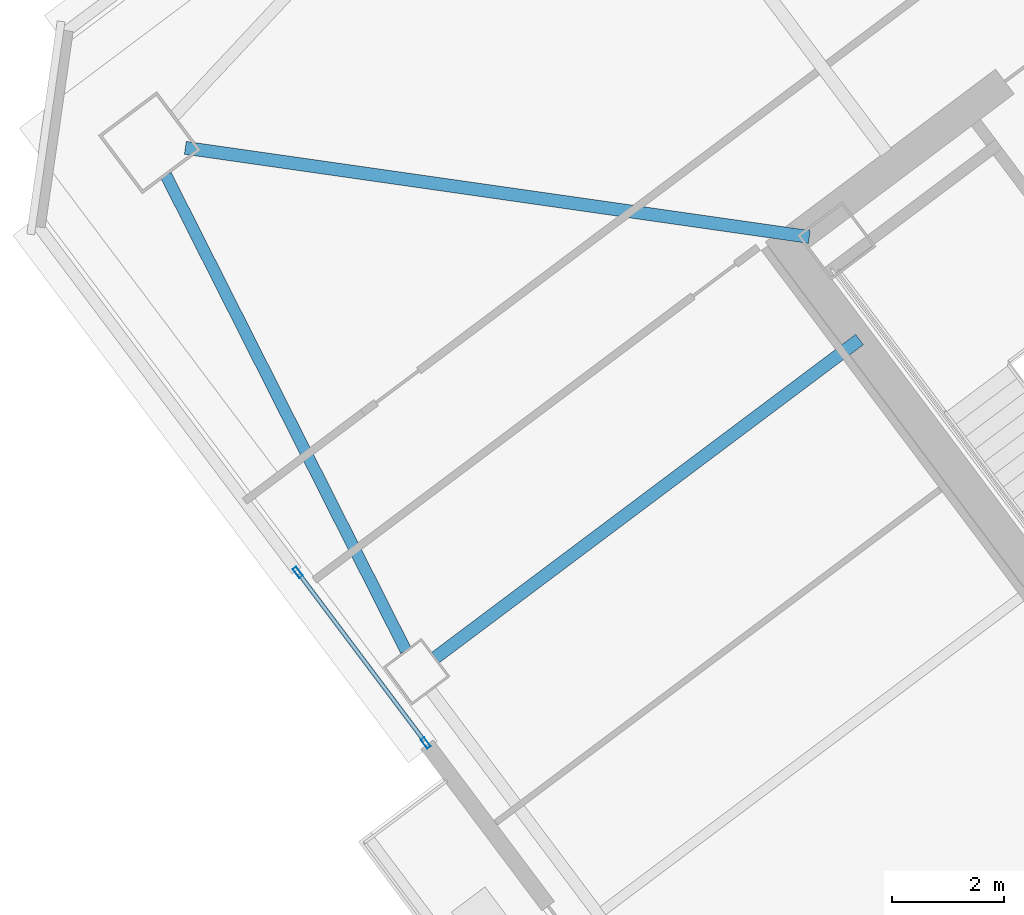
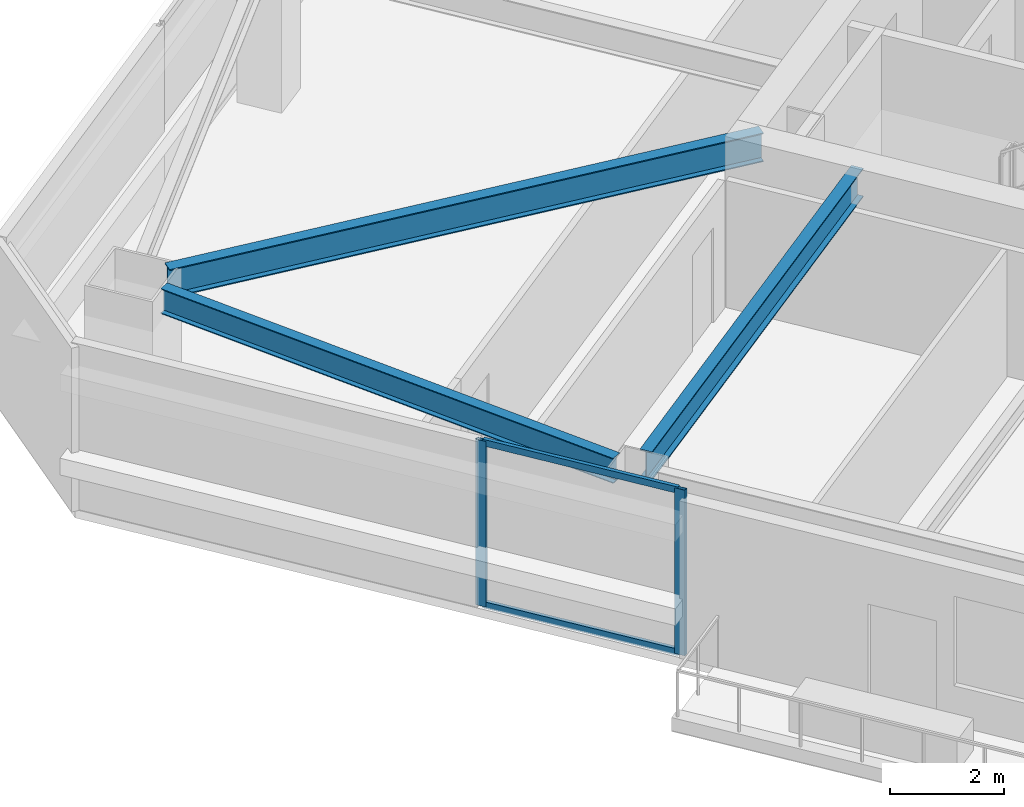
# One storey, part 20 of 40: 4 members, 3 beams, 1 element without a shape of its own.
"""IFC4 building model written with IfcOpenShell, lengths in metres."""

from ifc_helpers import new_model, si_unit, direction, frame, origin, origin_2d, place, context, subcontext, project, spatial, hollow_rectangle, i_section, extrude, material, material_profile, profile_set, type_object, element, aggregate, save


model = new_model("IFC4")

# Units and contexts
model_context = context("Model", 3, precision=1e-05, world=origin(), true_north=direction((0.0, 1.0)))
body_context = subcontext(model_context, "Body", "Model", "MODEL_VIEW")
ifc_project = project(units=[si_unit("LENGTHUNIT", "METRE"), si_unit("AREAUNIT", "SQUARE_METRE"), si_unit("VOLUMEUNIT", "CUBIC_METRE"), si_unit("PLANEANGLEUNIT", "RADIAN"), si_unit("MASSUNIT", "GRAM", prefix="KILO")], contexts=[model_context])

# Site, building, storey
site_placement = place(None, origin())
site = spatial("IfcSite", under=ifc_project, at=site_placement, CompositionType="ELEMENT")
building_placement = place(site_placement, origin())
building = spatial("IfcBuilding", under=site, at=building_placement, Name="Tashvorn Skyway Center", CompositionType="ELEMENT")
storey_placement = place(building_placement, frame((0.0, 0.0, 142.800048828125)))
storey = spatial("IfcBuildingStorey", under=building, at=storey_placement, Name="L38", CompositionType="ELEMENT", Elevation=142.800048828125)

# Beams
ifc_material_1 = material(Name="Steel ASTM A992 Grade 50", Category="steel")
ifc_material_profile_1 = material_profile(ifc_material_1, i_section(OverallWidth=0.22998046875, OverallDepth=0.616943359375, WebThickness=0.01318359375, FlangeThickness=0.022216796875, at=origin_2d()), Name="W24X94")
ifc_profile_set_1 = profile_set([ifc_material_profile_1], Name="Steel ASTM A992 Grade 50")
beam_type_1 = type_object("IfcBeamType", Name="BM-BEAM-W24X94", PredefinedType="BEAM", material=ifc_profile_set_1)
beam_1_placement = place(storey_placement, frame((92.5185546875, 35.06884765625, 3.0615234375), z_axis=(0.989948189712, -0.141430483583, 0.0), x_axis=(0.141430483583, 0.989948189712, 0.0)))
element("IfcBeam", 1, at=beam_1_placement, inside=storey, type_object=beam_type_1, Name="Tower 2 L38 Primary Floor Girder MC-NW", PredefinedType="BEAM", context=body_context, shape_type="SweptSolid", body=[
    extrude(i_section(OverallWidth=0.22998046875, OverallDepth=0.616943359375, WebThickness=0.01318359375, FlangeThickness=0.022216796875, at=origin_2d()), origin(), (0.0, 0.0, 1.0), 11.234375),
])
beam_2_placement = place(storey_placement, frame((96.97607421875, 25.98193359375, 3.0615234375), z_axis=(0.799984498661, 0.600020667896, 0.0), x_axis=(-0.600020667896, 0.799984498661, 0.0)))
element("IfcBeam", 2, at=beam_2_placement, inside=storey, type_object=beam_type_1, Name="Tower 2 L38 Primary Floor Girder FC-W1", PredefinedType="BEAM", context=body_context, shape_type="SweptSolid", body=[
    extrude(i_section(OverallWidth=0.22998046875, OverallDepth=0.616943359375, WebThickness=0.01318359375, FlangeThickness=0.022216796875, at=origin_2d()), origin(), (0.0, 0.0, 1.0), 9.449951171875),
])
ifc_material_profile_2 = material_profile(ifc_material_1, i_section(OverallWidth=0.2109375, OverallDepth=0.5390625, WebThickness=0.01171875, FlangeThickness=0.018798828125, at=origin_2d()), Name="W21X73")
ifc_profile_set_2 = profile_set([ifc_material_profile_2], Name="Steel ASTM A992 Grade 50")
beam_type_2 = type_object("IfcBeamType", Name="BM-SPANDREL-W21X73", PredefinedType="SPANDREL", material=ifc_profile_set_2)
beam_3_placement = place(storey_placement, frame((92.170654296875, 34.584228515625, 3.100341796875), z_axis=(0.450613543136, -0.892719124217, 0.0), x_axis=(0.892719124217, 0.450613543136, 0.0)))
element("IfcBeam", 3, at=beam_3_placement, inside=storey, type_object=beam_type_2, Name="Tower 2 L38 Spandrel Beam 10", PredefinedType="SPANDREL", context=body_context, shape_type="SweptSolid", body=[
    extrude(i_section(OverallWidth=0.2109375, OverallDepth=0.5390625, WebThickness=0.01171875, FlangeThickness=0.018798828125, at=origin_2d()), origin(), (0.0, 0.0, 1.0), 9.498291015625),
])

# Curtain wall, members
ifc_material_2 = material(Name="Thermally broken bronze-anodized aluminium 6063-T6", Category="aluminium")
curtain_wall_type = type_object("IfcCurtainWallType", Name="CW-CW-Z3", PredefinedType="NOTDEFINED", material=ifc_material_2)
curtain_wall_placement = place(storey_placement, origin())
curtain_wall = element("IfcCurtainWall", 4, at=curtain_wall_placement, inside=storey, type_object=curtain_wall_type, Name="Tower 2 L38 West Curtain Wall R Glazing Group 1", PredefinedType="NOTDEFINED")
ifc_material_profile_3 = material_profile(ifc_material_2, hollow_rectangle(XDim=0.074951171875, YDim=0.199951171875, WallThickness=0.00439453125, at=origin_2d()), Name="ALU-MULL-75x200")
ifc_profile_set_3 = profile_set([ifc_material_profile_3], Name="Thermally broken bronze-anodized aluminium 6063-T6")
member_type_1 = type_object("IfcMemberType", Name="CWM-CW-Z3", PredefinedType="MULLION", material=ifc_profile_set_3)
member_1_placement = place(storey_placement, frame((96.803466796875, 24.4619140625, 0.0), z_axis=(0.0, 0.0, 1.0), x_axis=(-0.799996904524, -0.600004127279, 0.0)))
member_1 = element("IfcMember", 5, at=member_1_placement, type_object=member_type_1, Name="CW-Z3 mullion 1", PredefinedType="MULLION", context=body_context, shape_type="SweptSolid", body=[
    extrude(hollow_rectangle(XDim=0.074951171875, YDim=0.199951171875, WallThickness=0.00439453125, at=origin_2d()), origin(), (0.0, 0.0, 1.0), 3.550048828125),
])
member_2_placement = place(storey_placement, frame((94.5224609375, 27.50341796875, 0.0), z_axis=(0.0, 0.0, 1.0), x_axis=(-0.799996904524, -0.600004127279, 0.0)))
member_2 = element("IfcMember", 6, at=member_2_placement, type_object=member_type_1, Name="CW-Z3 mullion 2", PredefinedType="MULLION", context=body_context, shape_type="SweptSolid", body=[
    extrude(hollow_rectangle(XDim=0.074951171875, YDim=0.199951171875, WallThickness=0.00439453125, at=origin_2d()), origin(), (0.0, 0.0, 1.0), 3.550048828125),
])
ifc_material_profile_4 = material_profile(ifc_material_2, hollow_rectangle(XDim=0.074951171875, YDim=0.139892578125, WallThickness=0.004150390625, at=origin_2d()), Name="ALU-TRAN-75x140")
ifc_profile_set_4 = profile_set([ifc_material_profile_4], Name="Thermally broken bronze-anodized aluminium 6063-T6")
member_type_2 = type_object("IfcMemberType", Name="CWT-CW-Z3", PredefinedType="USERDEFINED", material=ifc_profile_set_4)
member_3_placement = place(storey_placement, frame((96.781005859375, 24.491943359375, 0.037353515625), z_axis=(-0.6, 0.8, 0.0), x_axis=(-0.8, -0.6, 0.0)))
member_3 = element("IfcMember", 7, at=member_3_placement, type_object=member_type_2, Name="CW-Z3 transom 1.1", ObjectType="TRANSOM", PredefinedType="USERDEFINED", context=body_context, shape_type="SweptSolid", body=[
    extrude(hollow_rectangle(XDim=0.074951171875, YDim=0.139892578125, WallThickness=0.004150390625, at=origin_2d()), origin(), (0.0, 0.0, 1.0), 3.726806640625),
])
member_4_placement = place(storey_placement, frame((96.781005859375, 24.491943359375, 3.512451171875), z_axis=(-0.6, 0.8, 0.0), x_axis=(-0.8, -0.6, 0.0)))
member_4 = element("IfcMember", 8, at=member_4_placement, type_object=member_type_2, Name="CW-Z3 transom 1.2", ObjectType="TRANSOM", PredefinedType="USERDEFINED", context=body_context, shape_type="SweptSolid", body=[
    extrude(hollow_rectangle(XDim=0.074951171875, YDim=0.139892578125, WallThickness=0.004150390625, at=origin_2d()), origin(), (0.0, 0.0, 1.0), 3.726806640625),
])
aggregate(curtain_wall, [member_1, member_2, member_3, member_4])

save(model, "model.ifc")
